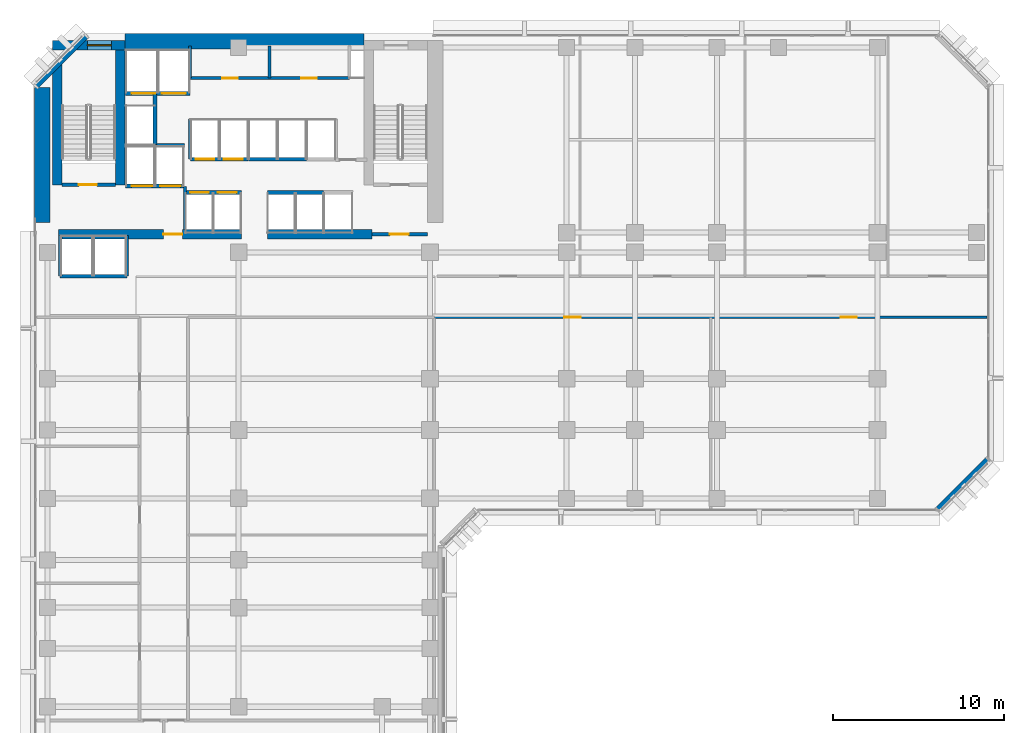
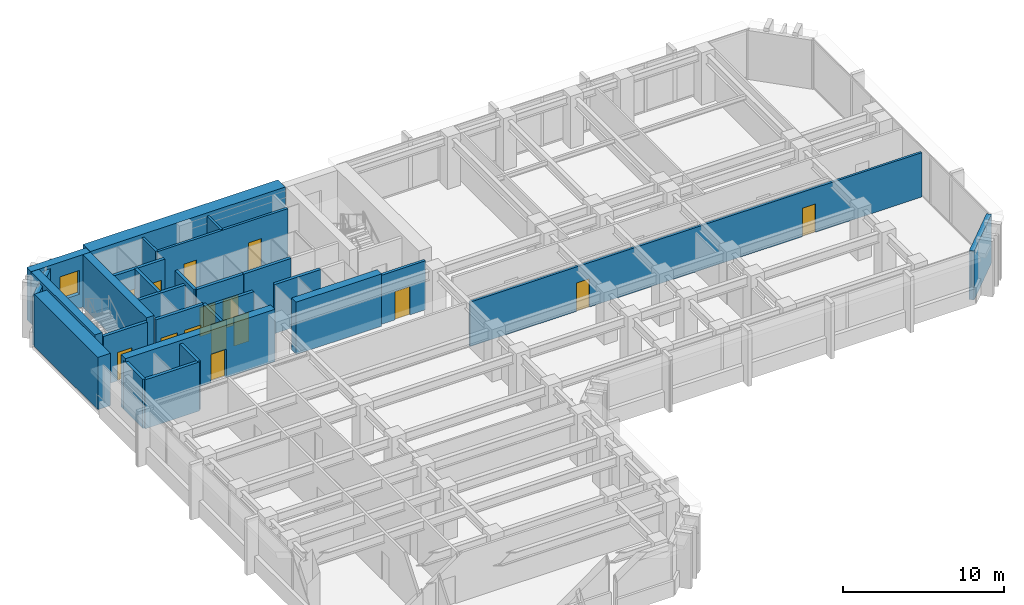
# One storey, part 7 of 13: 28 walls, 15 doors, 1 window, 16 openings.
"""IFC4 building model written with IfcOpenShell, lengths in metres."""

from ifc_helpers import new_model, si_unit, direction, frame, frame_2d, origin, place, context, subcontext, project, spatial, rectangle, extrude, material, layer, layer_set, type_object, element, fill, save


model = new_model("IFC4")

# Units and contexts
model_context = context("Model", 3, precision=1e-05, world=origin(), true_north=direction((0.0, 1.0)))
body_context = subcontext(model_context, "Body", "Model", "MODEL_VIEW")
ifc_project = project(units=[si_unit("LENGTHUNIT", "METRE"), si_unit("AREAUNIT", "SQUARE_METRE"), si_unit("VOLUMEUNIT", "CUBIC_METRE"), si_unit("PLANEANGLEUNIT", "RADIAN"), si_unit("MASSUNIT", "GRAM", prefix="KILO")], contexts=[model_context])

# Site, building, storey
site_placement = place(None, origin())
site = spatial("IfcSite", under=ifc_project, at=site_placement, CompositionType="ELEMENT")
building_placement = place(site_placement, origin())
building = spatial("IfcBuilding", under=site, at=building_placement, Name="Kefirva Bronze Tower", CompositionType="ELEMENT")
storey_placement = place(building_placement, frame((0.0, 0.0, 38.280029296875)))
storey = spatial("IfcBuildingStorey", under=building, at=storey_placement, Name="L08", CompositionType="ELEMENT", Elevation=38.280029296875)

# Wall, opening, door
ifc_material_1 = material(Name="Gypsum fireboard shaftwall")
ifc_layer_1 = layer(ifc_material_1, 0.219970703125, Name="Gypsum fireboard shaftwall")
ifc_layer_set_1 = layer_set([ifc_layer_1], Name="Gypsum fireboard shaftwall")
wall_type_1 = type_object("IfcWallType", Name="Fire-Rated Shaft Enclosure Wall 220mm", PredefinedType="PARTITIONING", material=ifc_layer_set_1)
wall_1_placement = place(storey_placement, frame((1.64990234375, 37.14990234375, 0.0), z_axis=(0.0, 0.0, 1.0), x_axis=(1.0, 0.0, 0.0)))
wall_1 = element("IfcWall", 1, at=wall_1_placement, inside=storey, type_object=wall_type_1, Name="L08 Partition W-L08-ST1S", PredefinedType="PARTITIONING", context=body_context, shape_type="SweptSolid", body=[
    extrude(rectangle(XDim=3.150146484375, YDim=0.219970703125, at=frame_2d((1.5751953125, 0.0))), origin(), (0.0, 0.0, 1.0), 3.7099609375),
])
opening_1_placement = place(wall_1_placement, frame((2.050048828125, 0.0, 0.0), z_axis=(0.0, 0.0, 1.0), x_axis=(-1.0, 0.0, 0.0)))
opening_1 = element("IfcOpeningElement", 2, at=opening_1_placement, cuts=wall_1, Name="Opening L08-D001", PredefinedType="OPENING", context=body_context, shape_type="SweptSolid", body=[
    extrude(rectangle(XDim=1.050048828125, YDim=2.14990234375, at=frame_2d((0.52490234375, 1.074951171875))), frame((0.0, 0.1201171875, 0.0), z_axis=(0.0, -1.0, 0.0), x_axis=(1.0, 0.0, 0.0)), (0.0, 0.0, 1.0), 0.239990234375),
])
ifc_material_2 = material(Name="Painted galvanized steel", Category="steel")
door_type_1 = type_object("IfcDoorType", Name="Fire Stair Enclosure Door 1050x2150 FD90S", OperationType="NOTDEFINED", PredefinedType="DOOR", material=ifc_material_2)
door_1_placement = place(opening_1_placement, origin())
door_1 = element("IfcDoor", 3, at=door_1_placement, inside=storey, type_object=door_type_1, Name="Door L08-D001", OperationType="SINGLE_SWING_RIGHT", OverallHeight=2.14990234375, OverallWidth=1.050048828125, PredefinedType="DOOR", context=body_context, shape_type="SweptSolid", body=[
    extrude(rectangle(XDim=1.050048828125, YDim=2.14990234375, at=frame_2d((0.52490234375, 1.074951171875))), frame((0.0, 0.02490234375, 0.0), z_axis=(0.0, -1.0, 0.0), x_axis=(1.0, 0.0, 0.0)), (0.0, 0.0, 1.0), 0.050048828125),
])
fill(opening_1, door_1)

# Wall, openings, doors
wall_2_placement = place(storey_placement, frame((5.3798828125, 37.080078125, 0.0), z_axis=(0.0, 0.0, 1.0), x_axis=(1.0, 0.0, 0.0)))
wall_2 = element("IfcWall", 4, at=wall_2_placement, inside=storey, type_object=wall_type_1, Name="L08 Partition W-L08-FFS", PredefinedType="PARTITIONING", context=body_context, shape_type="SweptSolid", body=[
    extrude(rectangle(XDim=3.460205078125, YDim=0.219970703125, at=frame_2d((1.72998046875, 0.0))), origin(), (0.0, 0.0, 1.0), 3.7099609375),
])
opening_2_placement = place(wall_2_placement, frame((1.550048828125, 0.0, 0.0), z_axis=(0.0, 0.0, 1.0), x_axis=(-1.0, 0.0, 0.0)))
opening_2 = element("IfcOpeningElement", 5, at=opening_2_placement, cuts=wall_2, Name="Opening L08-LD-FF1", PredefinedType="OPENING", context=body_context, shape_type="SweptSolid", body=[
    extrude(rectangle(XDim=1.199951171875, YDim=2.199951171875, at=frame_2d((0.60009765625, 1.10009765625))), frame((0.0, 0.1201171875, 0.0), z_axis=(0.0, -1.0, 0.0), x_axis=(1.0, 0.0, 0.0)), (0.0, 0.0, 1.0), 0.239990234375),
])
opening_3_placement = place(wall_2_placement, frame((3.219970703125, 0.0, 0.0), z_axis=(0.0, 0.0, 1.0), x_axis=(-1.0, 0.0, 0.0)))
opening_3 = element("IfcOpeningElement", 6, at=opening_3_placement, cuts=wall_2, Name="Opening L08-LD-FF2", PredefinedType="OPENING", context=body_context, shape_type="SweptSolid", body=[
    extrude(rectangle(XDim=1.199951171875, YDim=2.199951171875, at=frame_2d((0.60009765625, 1.10009765625))), frame((0.0, 0.1201171875, 0.0), z_axis=(0.0, -1.0, 0.0), x_axis=(1.0, 0.0, 0.0)), (0.0, 0.0, 1.0), 0.239990234375),
])
ifc_material_3 = material(Name="Stainless steel 316", Category="steel")
door_type_2 = type_object("IfcDoorType", Name="Firefighting Lift Sliding Door 1200x2200", OperationType="SLIDING_TO_RIGHT", PredefinedType="DOOR", material=ifc_material_3)
door_2_placement = place(opening_2_placement, origin())
door_2 = element("IfcDoor", 7, at=door_2_placement, inside=storey, type_object=door_type_2, Name="Door L08-LD-FF1", OperationType="SLIDING_TO_RIGHT", OverallHeight=2.199951171875, OverallWidth=1.199951171875, PredefinedType="DOOR", context=body_context, shape_type="SweptSolid", body=[
    extrude(rectangle(XDim=1.199951171875, YDim=2.199951171875, at=frame_2d((0.60009765625, 1.10009765625))), frame((0.0, 0.02490234375, 0.0), z_axis=(0.0, -1.0, 0.0), x_axis=(1.0, 0.0, 0.0)), (0.0, 0.0, 1.0), 0.050048828125),
])
fill(opening_2, door_2)
door_3_placement = place(opening_3_placement, origin())
door_3 = element("IfcDoor", 8, at=door_3_placement, inside=storey, type_object=door_type_2, Name="Door L08-LD-FF2", OperationType="SLIDING_TO_RIGHT", OverallHeight=2.199951171875, OverallWidth=1.199951171875, PredefinedType="DOOR", context=body_context, shape_type="SweptSolid", body=[
    extrude(rectangle(XDim=1.199951171875, YDim=2.199951171875, at=frame_2d((0.60009765625, 1.10009765625))), frame((0.0, 0.02490234375, 0.0), z_axis=(0.0, -1.0, 0.0), x_axis=(1.0, 0.0, 0.0)), (0.0, 0.0, 1.0), 0.050048828125),
])
fill(opening_3, door_3)

# Wall
wall_3_placement = place(storey_placement, frame((5.3798828125, 39.449951171875, 0.0), z_axis=(0.0, 0.0, 1.0), x_axis=(1.0, 0.0, 0.0)))
element("IfcWall", 9, at=wall_3_placement, inside=storey, type_object=wall_type_1, Name="L08 Partition W-L08-FFN", PredefinedType="PARTITIONING", context=body_context, shape_type="SweptSolid", body=[
    extrude(rectangle(XDim=3.460205078125, YDim=0.219970703125, at=frame_2d((1.72998046875, 0.0))), origin(), (0.0, 0.0, 1.0), 3.7099609375),
])

# Wall, openings, doors
wall_4_placement = place(storey_placement, frame((5.3798828125, 42.5, 0.0), z_axis=(0.0, 0.0, 1.0), x_axis=(1.0, 0.0, 0.0)))
wall_4 = element("IfcWall", 10, at=wall_4_placement, inside=storey, type_object=wall_type_1, Name="L08 Partition W-L08-SVS", PredefinedType="PARTITIONING", context=body_context, shape_type="SweptSolid", body=[
    extrude(rectangle(XDim=3.77001953125, YDim=0.219970703125, at=frame_2d((1.885009765625, 0.0))), origin(), (0.0, 0.0, 1.0), 3.7099609375),
])
opening_4_placement = place(wall_4_placement, frame((1.75, 0.0, 0.0), z_axis=(0.0, 0.0, 1.0), x_axis=(-1.0, 0.0, 0.0)))
opening_4 = element("IfcOpeningElement", 11, at=opening_4_placement, cuts=wall_4, Name="Opening L08-LD-SV1", PredefinedType="OPENING", context=body_context, shape_type="SweptSolid", body=[
    extrude(rectangle(XDim=1.39990234375, YDim=2.199951171875, at=frame_2d((0.699951171875, 1.10009765625))), frame((0.0, 0.1201171875, 0.0), z_axis=(0.0, -1.0, 0.0), x_axis=(1.0, 0.0, 0.0)), (0.0, 0.0, 1.0), 0.239990234375),
])
opening_5_placement = place(wall_4_placement, frame((3.52978515625, 0.0, 0.0), z_axis=(0.0, 0.0, 1.0), x_axis=(-1.0, 0.0, 0.0)))
opening_5 = element("IfcOpeningElement", 12, at=opening_5_placement, cuts=wall_4, Name="Opening L08-LD-SV2", PredefinedType="OPENING", context=body_context, shape_type="SweptSolid", body=[
    extrude(rectangle(XDim=1.39990234375, YDim=2.199951171875, at=frame_2d((0.699951171875, 1.10009765625))), frame((0.0, 0.1201171875, 0.0), z_axis=(0.0, -1.0, 0.0), x_axis=(1.0, 0.0, 0.0)), (0.0, 0.0, 1.0), 0.239990234375),
])
door_type_3 = type_object("IfcDoorType", Name="Goods Lift Bi-Parting Sliding Door 1400x2200", OperationType="SLIDING_TO_LEFT", PredefinedType="DOOR", material=ifc_material_3)
door_4_placement = place(opening_4_placement, origin())
door_4 = element("IfcDoor", 13, at=door_4_placement, inside=storey, type_object=door_type_3, Name="Door L08-LD-SV1", OperationType="SLIDING_TO_LEFT", OverallHeight=2.199951171875, OverallWidth=1.39990234375, PredefinedType="DOOR", context=body_context, shape_type="SweptSolid", body=[
    extrude(rectangle(XDim=1.39990234375, YDim=2.199951171875, at=frame_2d((0.699951171875, 1.10009765625))), frame((0.0, 0.02490234375, 0.0), z_axis=(0.0, -1.0, 0.0), x_axis=(1.0, 0.0, 0.0)), (0.0, 0.0, 1.0), 0.050048828125),
])
fill(opening_4, door_4)
door_5_placement = place(opening_5_placement, origin())
door_5 = element("IfcDoor", 14, at=door_5_placement, inside=storey, type_object=door_type_3, Name="Door L08-LD-SV2", OperationType="SLIDING_TO_LEFT", OverallHeight=2.199951171875, OverallWidth=1.39990234375, PredefinedType="DOOR", context=body_context, shape_type="SweptSolid", body=[
    extrude(rectangle(XDim=1.39990234375, YDim=2.199951171875, at=frame_2d((0.699951171875, 1.10009765625))), frame((0.0, 0.02490234375, 0.0), z_axis=(0.0, -1.0, 0.0), x_axis=(1.0, 0.0, 0.0)), (0.0, 0.0, 1.0), 0.050048828125),
])
fill(opening_5, door_5)

# Walls
wall_5_placement = place(storey_placement, frame((7.10009765625, 39.52001953125, 0.0), z_axis=(0.0, 0.0, 1.0), x_axis=(0.0, 1.0, 0.0)))
element("IfcWall", 15, at=wall_5_placement, inside=storey, type_object=wall_type_1, Name="L08 Partition W-L08-HP3E", PredefinedType="PARTITIONING", context=body_context, shape_type="SweptSolid", body=[
    extrude(rectangle(XDim=2.929931640625, YDim=0.219970703125, at=frame_2d((1.46484375, 0.0))), origin(), (0.0, 0.0, 1.0), 3.7099609375),
])
wall_6_placement = place(storey_placement, frame((1.550048828125, 31.800048828125, 0.0), z_axis=(0.0, 0.0, 1.0), x_axis=(1.0, 0.0, 0.0)))
element("IfcWall", 16, at=wall_6_placement, inside=storey, type_object=wall_type_1, Name="L08 Partition W-L08-OBS", PredefinedType="PARTITIONING", context=body_context, shape_type="SweptSolid", body=[
    extrude(rectangle(XDim=3.89990234375, YDim=0.219970703125, at=frame_2d((1.949951171875, 0.0))), origin(), (0.0, 0.0, 1.0), 3.7099609375),
])
for number, where, z_axis, x_axis, name in (
    (17, (1.550048828125, 31.800048828125, 0.0), (0.0, 0.0, 1.0), (0.0, 1.0, 0.0), "L08 Partition W-L08-OBW"),
    (18, (5.449951171875, 31.800048828125, 0.0), (0.0, 0.0, 1.0), (0.0, 1.0, 0.0), "L08 Partition W-L08-OBE"),
):
    element("IfcWall", number, at=place(storey_placement, frame(where, z_axis=z_axis, x_axis=x_axis)), inside=storey, type_object=wall_type_1, Name=name, PredefinedType="PARTITIONING", context=body_context, shape_type="SweptSolid", body=[
        extrude(rectangle(XDim=2.3798828125, YDim=0.219970703125, at=frame_2d((1.18994140625, 0.0))), origin(), (0.0, 0.0, 1.0), 3.7099609375),
    ])
wall_7_placement = place(storey_placement, frame((9.159912109375, 38.64990234375, 0.0), z_axis=(0.0, 0.0, 1.0), x_axis=(0.0, 1.0, 0.0)))
element("IfcWall", 19, at=wall_7_placement, inside=storey, type_object=wall_type_1, Name="L08 Partition W-L08-LP3W", PredefinedType="PARTITIONING", context=body_context, shape_type="SweptSolid", body=[
    extrude(rectangle(XDim=2.35009765625, YDim=0.199951171875, at=frame_2d((1.175048828125, 0.0))), origin(), (0.0, 0.0, 1.0), 3.7099609375),
])

# Wall, openings, doors
wall_8_placement = place(storey_placement, frame((8.89990234375, 36.699951171875, 0.0), z_axis=(0.0, 0.0, 1.0), x_axis=(1.0, 0.0, 0.0)))
wall_8 = element("IfcWall", 20, at=wall_8_placement, inside=storey, type_object=wall_type_1, Name="L08 Partition W-L08-LPS", PredefinedType="PARTITIONING", context=body_context, shape_type="SweptSolid", body=[
    extrude(rectangle(XDim=3.260009765625, YDim=0.219970703125, at=frame_2d((1.6298828125, 0.0))), origin(), (0.0, 0.0, 1.0), 3.7099609375),
])
opening_6_placement = place(wall_8_placement, frame((0.260009765625, 0.0, 0.0)))
opening_6 = element("IfcOpeningElement", 21, at=opening_6_placement, cuts=wall_8, Name="Opening L08-LD-LP1", PredefinedType="OPENING", context=body_context, shape_type="SweptSolid", body=[
    extrude(rectangle(XDim=1.10009765625, YDim=2.199951171875, at=frame_2d((0.550048828125, 1.10009765625))), frame((0.0, 0.1201171875, 0.0), z_axis=(0.0, -1.0, 0.0), x_axis=(1.0, 0.0, 0.0)), (0.0, 0.0, 1.0), 0.239990234375),
])
opening_7_placement = place(wall_8_placement, frame((1.8798828125, 0.0, 0.0)))
opening_7 = element("IfcOpeningElement", 22, at=opening_7_placement, cuts=wall_8, Name="Opening L08-LD-LP2", PredefinedType="OPENING", context=body_context, shape_type="SweptSolid", body=[
    extrude(rectangle(XDim=1.10009765625, YDim=2.199951171875, at=frame_2d((0.550048828125, 1.10009765625))), frame((0.0, 0.1201171875, 0.0), z_axis=(0.0, -1.0, 0.0), x_axis=(1.0, 0.0, 0.0)), (0.0, 0.0, 1.0), 0.239990234375),
])
door_type_4 = type_object("IfcDoorType", Name="Passenger Lift Sliding Landing Door 1100x2200", OperationType="SLIDING_TO_LEFT", PredefinedType="DOOR", material=ifc_material_3)
door_6_placement = place(opening_6_placement, origin())
door_6 = element("IfcDoor", 23, at=door_6_placement, inside=storey, type_object=door_type_4, Name="Door L08-LD-LP1", OperationType="SLIDING_TO_LEFT", OverallHeight=2.199951171875, OverallWidth=1.10009765625, PredefinedType="DOOR", context=body_context, shape_type="SweptSolid", body=[
    extrude(rectangle(XDim=1.10009765625, YDim=2.199951171875, at=frame_2d((0.550048828125, 1.10009765625))), frame((0.0, 0.02490234375, 0.0), z_axis=(0.0, -1.0, 0.0), x_axis=(1.0, 0.0, 0.0)), (0.0, 0.0, 1.0), 0.050048828125),
])
fill(opening_6, door_6)
door_7_placement = place(opening_7_placement, origin())
door_7 = element("IfcDoor", 24, at=door_7_placement, inside=storey, type_object=door_type_4, Name="Door L08-LD-LP2", OperationType="SLIDING_TO_LEFT", OverallHeight=2.199951171875, OverallWidth=1.10009765625, PredefinedType="DOOR", context=body_context, shape_type="SweptSolid", body=[
    extrude(rectangle(XDim=1.10009765625, YDim=2.199951171875, at=frame_2d((0.550048828125, 1.10009765625))), frame((0.0, 0.02490234375, 0.0), z_axis=(0.0, -1.0, 0.0), x_axis=(1.0, 0.0, 0.0)), (0.0, 0.0, 1.0), 0.050048828125),
])
fill(opening_7, door_7)

wall_9_placement = place(storey_placement, frame((9.179931640625, 38.64990234375, 0.0), z_axis=(0.0, 0.0, 1.0), x_axis=(1.0, 0.0, 0.0)))
wall_9 = element("IfcWall", 25, at=wall_9_placement, inside=storey, type_object=wall_type_1, Name="L08 Partition W-L08-LPN", PredefinedType="PARTITIONING", context=body_context, shape_type="SweptSolid", body=[
    extrude(rectangle(XDim=3.380126953125, YDim=0.219970703125, at=frame_2d((1.68994140625, 0.0))), origin(), (0.0, 0.0, 1.0), 3.7099609375),
])
opening_8_placement = place(wall_9_placement, frame((0.300048828125, 0.0, 0.0)))
opening_8 = element("IfcOpeningElement", 26, at=opening_8_placement, cuts=wall_9, Name="Opening L08-LD-LP3", PredefinedType="OPENING", context=body_context, shape_type="SweptSolid", body=[
    extrude(rectangle(XDim=1.10009765625, YDim=2.199951171875, at=frame_2d((0.550048828125, 1.10009765625))), frame((0.0, 0.1201171875, 0.0), z_axis=(0.0, -1.0, 0.0), x_axis=(1.0, 0.0, 0.0)), (0.0, 0.0, 1.0), 0.239990234375),
])
opening_9_placement = place(wall_9_placement, frame((1.949951171875, 0.0, 0.0)))
opening_9 = element("IfcOpeningElement", 27, at=opening_9_placement, cuts=wall_9, Name="Opening L08-LD-LP4", PredefinedType="OPENING", context=body_context, shape_type="SweptSolid", body=[
    extrude(rectangle(XDim=1.10009765625, YDim=2.199951171875, at=frame_2d((0.550048828125, 1.10009765625))), frame((0.0, 0.1201171875, 0.0), z_axis=(0.0, -1.0, 0.0), x_axis=(1.0, 0.0, 0.0)), (0.0, 0.0, 1.0), 0.239990234375),
])
door_8_placement = place(opening_8_placement, origin())
door_8 = element("IfcDoor", 28, at=door_8_placement, inside=storey, type_object=door_type_4, Name="Door L08-LD-LP3", OperationType="SLIDING_TO_LEFT", OverallHeight=2.199951171875, OverallWidth=1.10009765625, PredefinedType="DOOR", context=body_context, shape_type="SweptSolid", body=[
    extrude(rectangle(XDim=1.10009765625, YDim=2.199951171875, at=frame_2d((0.550048828125, 1.10009765625))), frame((0.0, 0.02490234375, 0.0), z_axis=(0.0, -1.0, 0.0), x_axis=(1.0, 0.0, 0.0)), (0.0, 0.0, 1.0), 0.050048828125),
])
fill(opening_8, door_8)
door_9_placement = place(opening_9_placement, origin())
door_9 = element("IfcDoor", 29, at=door_9_placement, inside=storey, type_object=door_type_4, Name="Door L08-LD-LP4", OperationType="SLIDING_TO_LEFT", OverallHeight=2.199951171875, OverallWidth=1.10009765625, PredefinedType="DOOR", context=body_context, shape_type="SweptSolid", body=[
    extrude(rectangle(XDim=1.10009765625, YDim=2.199951171875, at=frame_2d((0.550048828125, 1.10009765625))), frame((0.0, 0.02490234375, 0.0), z_axis=(0.0, -1.0, 0.0), x_axis=(1.0, 0.0, 0.0)), (0.0, 0.0, 1.0), 0.050048828125),
])
fill(opening_9, door_9)

# Walls
wall_10_placement = place(storey_placement, frame((13.679931640625, 36.699951171875, 0.0), z_axis=(0.0, 0.0, 1.0), x_axis=(1.0, 0.0, 0.0)))
element("IfcWall", 30, at=wall_10_placement, inside=storey, type_object=wall_type_1, Name="L08 Partition W-L08-MPS", PredefinedType="PARTITIONING", context=body_context, shape_type="SweptSolid", body=[
    extrude(rectangle(XDim=3.280029296875, YDim=0.219970703125, at=frame_2d((1.64013671875, 0.0))), origin(), (0.0, 0.0, 1.0), 3.7099609375),
])
wall_11_placement = place(storey_placement, frame((12.580078125, 38.64990234375, 0.0), z_axis=(0.0, 0.0, 1.0), x_axis=(1.0, 0.0, 0.0)))
element("IfcWall", 31, at=wall_11_placement, inside=storey, type_object=wall_type_1, Name="L08 Partition W-L08-MPN", PredefinedType="PARTITIONING", context=body_context, shape_type="SweptSolid", body=[
    extrude(rectangle(XDim=3.3798828125, YDim=0.219970703125, at=frame_2d((1.68994140625, 0.0))), origin(), (0.0, 0.0, 1.0), 3.7099609375),
])
ifc_material_4 = material(Name="Gypsum fireboard barrier")
ifc_layer_2 = layer(ifc_material_4, 0.199951171875, Name="Gypsum fireboard barrier")
ifc_layer_set_2 = layer_set([ifc_layer_2], Name="Gypsum fireboard barrier")
wall_type_2 = type_object("IfcWallType", Name="Firefighting Lobby Barrier Wall 200mm", PredefinedType="PARTITIONING", material=ifc_layer_set_2)
wall_12_placement = place(storey_placement, frame((8.860107421875, 34.550048828125, 0.0), z_axis=(0.0, 0.0, 1.0), x_axis=(0.0, 1.0, 0.0)))
element("IfcWall", 32, at=wall_12_placement, inside=storey, type_object=wall_type_2, Name="L08 Partition W-L08-FFLE", PredefinedType="PARTITIONING", context=body_context, shape_type="SweptSolid", body=[
    extrude(rectangle(XDim=2.5, YDim=0.199951171875, at=frame_2d((1.25, 0.0))), origin(), (0.0, 0.0, 1.0), 3.7099609375),
])

# Wall, opening, door
wall_13_placement = place(storey_placement, frame((19.800048828125, 34.25, 0.0), z_axis=(0.0, 0.0, 1.0), x_axis=(1.0, 0.0, 0.0)))
wall_13 = element("IfcWall", 33, at=wall_13_placement, inside=storey, type_object=wall_type_2, Name="L08 Partition W-L08-ST2F", PredefinedType="PARTITIONING", context=body_context, shape_type="SweptSolid", body=[
    extrude(rectangle(XDim=3.25, YDim=0.199951171875, at=frame_2d((1.625, 0.0))), origin(), (0.0, 0.0, 1.0), 3.7099609375),
])
opening_10_placement = place(wall_13_placement, frame((2.150146484375, 0.0, 0.0), z_axis=(0.0, 0.0, 1.0), x_axis=(-1.0, 0.0, 0.0)))
opening_10 = element("IfcOpeningElement", 34, at=opening_10_placement, cuts=wall_13, Name="Opening L08-D004", PredefinedType="OPENING", context=body_context, shape_type="SweptSolid", body=[
    extrude(rectangle(XDim=1.10009765625, YDim=2.14990234375, at=frame_2d((0.550048828125, 1.074951171875))), frame((0.0, 0.10986328125, 0.0), z_axis=(0.0, -1.0, 0.0), x_axis=(1.0, 0.0, 0.0)), (0.0, 0.0, 1.0), 0.219970703125),
])
door_type_5 = type_object("IfcDoorType", Name="Firefighting Lobby Smoke Door 1100x2150 FD60S", OperationType="NOTDEFINED", PredefinedType="DOOR", material=ifc_material_2)
door_10_placement = place(opening_10_placement, origin())
door_10 = element("IfcDoor", 35, at=door_10_placement, inside=storey, type_object=door_type_5, Name="Door L08-D004", OperationType="SINGLE_SWING_LEFT", OverallHeight=2.14990234375, OverallWidth=1.10009765625, PredefinedType="DOOR", context=body_context, shape_type="SweptSolid", body=[
    extrude(rectangle(XDim=1.10009765625, YDim=2.14990234375, at=frame_2d((0.550048828125, 1.074951171875))), frame((0.0, 0.02490234375, 0.0), z_axis=(0.0, -1.0, 0.0), x_axis=(1.0, 0.0, 0.0)), (0.0, 0.0, 1.0), 0.050048828125),
])
fill(opening_10, door_10)

# Walls
ifc_material_5 = material(Name="Precast concrete C40/50", Category="concrete")
ifc_layer_3 = layer(ifc_material_5, 0.320068359375, Name="Precast concrete C40/50")
ifc_layer_set_3 = layer_set([ifc_layer_3], Name="Precast concrete C40/50")
wall_type_3 = type_object("IfcWallType", Name="Precast Insulated Exterior Wall 320mm", PredefinedType="SOLIDWALL", material=ifc_layer_set_3)
for number, where, z_axis, x_axis, name in (
    (36, (52.92578125, 18.152099609375, 0.0), (0.0, 0.0, 1.0), (0.707106781187, 0.707106781187, 0.0), "L08 Exterior Facade Wall 7"),
    (37, (3.07421875, 45.847900390625, 0.0), (0.0, 0.0, 1.0), (-0.707106781187, -0.707106781187, 0.0), "L08 Exterior Facade Wall 9"),
):
    element("IfcWall", number, at=place(storey_placement, frame(where, z_axis=z_axis, x_axis=x_axis)), inside=storey, type_object=wall_type_3, Name=name, PredefinedType="SOLIDWALL", context=body_context, shape_type="SweptSolid", body=[
        extrude(rectangle(XDim=4.132568359375, YDim=0.320068359375, at=frame_2d((2.06640625, 0.0))), origin(), (0.0, 0.0, 1.0), 3.7099609375),
    ])

# Wall, openings, doors
ifc_material_6 = material(Name="Gypsum acoustic partition")
ifc_layer_4 = layer(ifc_material_6, 0.159912109375, Name="Gypsum acoustic partition")
ifc_layer_set_4 = layer_set([ifc_layer_4], Name="Gypsum acoustic partition")
wall_type_4 = type_object("IfcWallType", Name="Protected Corridor Partition 160mm", PredefinedType="PARTITIONING", material=ifc_layer_set_4)
wall_14_placement = place(storey_placement, frame((23.449951171875, 29.39990234375, 0.0), z_axis=(0.0, 0.0, 1.0), x_axis=(1.0, 0.0, 0.0)))
wall_14 = element("IfcWall", 38, at=wall_14_placement, inside=storey, type_object=wall_type_4, Name="L08 Partition W-L08-EWS", PredefinedType="PARTITIONING", context=body_context, shape_type="SweptSolid", body=[
    extrude(rectangle(XDim=32.360107421875, YDim=0.159912109375, at=frame_2d((16.18017578125, 0.0))), origin(), (0.0, 0.0, 1.0), 3.364990234375),
])
opening_11_placement = place(wall_14_placement, frame((8.56494140625, 0.0, 0.0), z_axis=(0.0, 0.0, 1.0), x_axis=(-1.0, 0.0, 0.0)))
opening_11 = element("IfcOpeningElement", 39, at=opening_11_placement, cuts=wall_14, Name="Opening L08-D-ES1", PredefinedType="OPENING", context=body_context, shape_type="SweptSolid", body=[
    extrude(rectangle(XDim=0.949951171875, YDim=2.14990234375, at=frame_2d((0.47509765625, 1.074951171875))), frame((0.0, 0.08984375, 0.0), z_axis=(0.0, -1.0, 0.0), x_axis=(1.0, 0.0, 0.0)), (0.0, 0.0, 1.0), 0.179931640625),
])
opening_12_placement = place(wall_14_placement, frame((24.744873046875, 0.0, 0.0), z_axis=(0.0, 0.0, 1.0), x_axis=(-1.0, 0.0, 0.0)))
opening_12 = element("IfcOpeningElement", 40, at=opening_12_placement, cuts=wall_14, Name="Opening L08-D-ES2", PredefinedType="OPENING", context=body_context, shape_type="SweptSolid", body=[
    extrude(rectangle(XDim=0.949951171875, YDim=2.14990234375, at=frame_2d((0.47509765625, 1.074951171875))), frame((0.0, 0.08984375, 0.0), z_axis=(0.0, -1.0, 0.0), x_axis=(1.0, 0.0, 0.0)), (0.0, 0.0, 1.0), 0.179931640625),
])
ifc_material_7 = material(Name="Acoustic hardwood oak", Category="wood")
door_type_6 = type_object("IfcDoorType", Name="Office & Meeting Room Door 950x2150", OperationType="NOTDEFINED", PredefinedType="DOOR", material=ifc_material_7)
door_11_placement = place(opening_11_placement, origin())
door_11 = element("IfcDoor", 41, at=door_11_placement, inside=storey, type_object=door_type_6, Name="Door L08-D-ES1", OperationType="SINGLE_SWING_RIGHT", OverallHeight=2.14990234375, OverallWidth=0.949951171875, PredefinedType="DOOR", context=body_context, shape_type="SweptSolid", body=[
    extrude(rectangle(XDim=0.949951171875, YDim=2.14990234375, at=frame_2d((0.47509765625, 1.074951171875))), frame((0.0, 0.02490234375, 0.0), z_axis=(0.0, -1.0, 0.0), x_axis=(1.0, 0.0, 0.0)), (0.0, 0.0, 1.0), 0.050048828125),
])
fill(opening_11, door_11)
door_12_placement = place(opening_12_placement, origin())
door_12 = element("IfcDoor", 42, at=door_12_placement, inside=storey, type_object=door_type_6, Name="Door L08-D-ES2", OperationType="SINGLE_SWING_LEFT", OverallHeight=2.14990234375, OverallWidth=0.949951171875, PredefinedType="DOOR", context=body_context, shape_type="SweptSolid", body=[
    extrude(rectangle(XDim=0.949951171875, YDim=2.14990234375, at=frame_2d((0.47509765625, 1.074951171875))), frame((0.0, 0.02490234375, 0.0), z_axis=(0.0, -1.0, 0.0), x_axis=(1.0, 0.0, 0.0)), (0.0, 0.0, 1.0), 0.050048828125),
])
fill(opening_12, door_12)

# Wall, opening, window
ifc_material_8 = material(Name="Concrete C50/60", Category="concrete")
ifc_layer_5 = layer(ifc_material_8, 0.550048828125, Name="Concrete C50/60")
ifc_layer_set_5 = layer_set([ifc_layer_5], Name="Concrete C50/60")
wall_type_5 = type_object("IfcWallType", Name="RC Rear Core Exterior Wall 550mm", PredefinedType="SHEAR", material=ifc_layer_set_5)
wall_15_placement = place(storey_placement, frame((1.10009765625, 45.320068359375, 0.0), z_axis=(0.0, 0.0, 1.0), x_axis=(1.0, 0.0, 0.0)))
wall_15 = element("IfcWall", 43, at=wall_15_placement, inside=storey, type_object=wall_type_5, Name="L08 Stair 1 North Shear Wall", PredefinedType="SHEAR", context=body_context, shape_type="SweptSolid", body=[
    extrude(rectangle(XDim=4.239990234375, YDim=0.550048828125, at=frame_2d((2.1201171875, 0.0))), origin(), (0.0, 0.0, 1.0), 3.9599609375),
])
opening_13_placement = place(wall_15_placement, frame((2.050048828125, 0.0, 1.050048828125)))
opening_13 = element("IfcOpeningElement", 44, at=opening_13_placement, cuts=wall_15, Name="Opening WN-03", PredefinedType="OPENING", context=body_context, shape_type="SweptSolid", body=[
    extrude(rectangle(XDim=1.39990234375, YDim=1.800048828125, at=frame_2d((0.699951171875, 0.89990234375))), frame((0.0, 0.28515625, 0.0), z_axis=(0.0, -1.0, 0.0), x_axis=(1.0, 0.0, 0.0)), (0.0, 0.0, 1.0), 0.570068359375),
])
ifc_material_9 = material(Name="Laminated low-E double glazing", Category="glass")
window_type = type_object("IfcWindowType", Name="Rear-Core Stair Daylight Window 1400x1800", PartitioningType="SINGLE_PANEL", PredefinedType="WINDOW", material=ifc_material_9)
window_placement = place(opening_13_placement, origin())
window = element("IfcWindow", 45, at=window_placement, inside=storey, type_object=window_type, Name="L08 Stair 1 Daylight Window", OverallHeight=1.800048828125, OverallWidth=1.39990234375, PartitioningType="SINGLE_PANEL", PredefinedType="WINDOW", context=body_context, shape_type="SweptSolid", body=[
    extrude(rectangle(XDim=1.39990234375, YDim=1.800048828125, at=frame_2d((0.699951171875, 0.89990234375))), frame((0.0, 0.030029296875, 0.0), z_axis=(0.0, -1.0, 0.0), x_axis=(1.0, 0.0, 0.0)), (0.0, 0.0, 1.0), 0.06005859375),
])
fill(opening_13, window)

# Walls
ifc_material_10 = material(Name="Concrete C60/75", Category="concrete")
ifc_layer_6 = layer(ifc_material_10, 0.89990234375, Name="Concrete C60/75")
ifc_layer_set_6 = layer_set([ifc_layer_6], Name="Concrete C60/75")
wall_type_6 = type_object("IfcWallType", Name="RC Rear Core Exterior Wall 900mm", PredefinedType="SHEAR", material=ifc_layer_set_6)
wall_16_placement = place(storey_placement, frame((5.360107421875, 45.550048828125, 0.0), z_axis=(0.0, 0.0, 1.0), x_axis=(1.0, 0.0, 0.0)))
element("IfcWall", 46, at=wall_16_placement, inside=storey, type_object=wall_type_6, Name="L08 Rear Core North Shear Wall", PredefinedType="SHEAR", context=body_context, shape_type="SweptSolid", body=[
    extrude(rectangle(XDim=13.97998046875, YDim=0.89990234375, at=frame_2d((6.989990234375, 0.0))), origin(), (0.0, 0.0, 1.0), 3.9599609375),
])
wall_17_placement = place(storey_placement, frame((0.5, 34.949951171875, 0.0), z_axis=(0.0, 0.0, 1.0), x_axis=(0.0, 1.0, 0.0)))
element("IfcWall", 47, at=wall_17_placement, inside=storey, type_object=wall_type_6, Name="L08 Rear Core West Shear Wall", PredefinedType="SHEAR", context=body_context, shape_type="SweptSolid", body=[
    extrude(rectangle(XDim=7.900146484375, YDim=0.89990234375, at=frame_2d((3.9501953125, 0.0))), origin(), (0.0, 0.0, 1.0), 3.9599609375),
])
ifc_layer_7 = layer(ifc_material_8, 0.550048828125, Name="Concrete C50/60")
ifc_layer_set_7 = layer_set([ifc_layer_7], Name="Concrete C50/60")
wall_type_7 = type_object("IfcWallType", Name="RC Rear Core Interior Wall 550mm", PredefinedType="SHEAR", material=ifc_layer_set_7)
for number, where, z_axis, x_axis, name in (
    (48, (1.3701171875, 37.14990234375, 0.0), (0.0, 0.0, 1.0), (0.0, 1.0, 0.0), "L08 Stair 1 West Shear Wall"),
    (49, (5.070068359375, 37.14990234375, 0.0), (0.0, 0.0, 1.0), (0.0, 1.0, 0.0), "L08 Stair 1 East Shear Wall"),
):
    element("IfcWall", number, at=place(storey_placement, frame(where, z_axis=z_axis, x_axis=x_axis)), inside=storey, type_object=wall_type_7, Name=name, PredefinedType="SHEAR", context=body_context, shape_type="SweptSolid", body=[
        extrude(rectangle(XDim=7.89013671875, YDim=0.550048828125, at=frame_2d((3.945068359375, 0.0))), origin(), (0.0, 0.0, 1.0), 3.9599609375),
    ])

# Wall, opening, door
ifc_layer_8 = layer(ifc_material_10, 0.89990234375, Name="Concrete C60/75")
ifc_layer_set_8 = layer_set([ifc_layer_8], Name="Concrete C60/75")
wall_type_8 = type_object("IfcWallType", Name="RC Rear Core Interior Wall 900mm", PredefinedType="SHEAR", material=ifc_layer_set_8)
wall_18_placement = place(storey_placement, frame((1.449951171875, 34.25, 0.0), z_axis=(0.0, 0.0, 1.0), x_axis=(1.0, 0.0, 0.0)))
wall_18 = element("IfcWall", 50, at=wall_18_placement, inside=storey, type_object=wall_type_8, Name="L08 Rear Core South-West Shear Wall", PredefinedType="SHEAR", context=body_context, shape_type="SweptSolid", body=[
    extrude(rectangle(XDim=10.7099609375, YDim=0.550048828125, at=frame_2d((5.35498046875, 0.0))), origin(), (0.0, 0.0, 1.0), 3.9599609375),
])
opening_14_placement = place(wall_18_placement, frame((7.25, 0.0, 0.0), z_axis=(0.0, 0.0, 1.0), x_axis=(-1.0, 0.0, 0.0)))
opening_14 = element("IfcOpeningElement", 51, at=opening_14_placement, cuts=wall_18, Name="Opening L08-D002", PredefinedType="OPENING", context=body_context, shape_type="SweptSolid", body=[
    extrude(rectangle(XDim=1.10009765625, YDim=2.14990234375, at=frame_2d((0.550048828125, 1.074951171875))), frame((0.0, 0.28515625, 0.0), z_axis=(0.0, -1.0, 0.0), x_axis=(1.0, 0.0, 0.0)), (0.0, 0.0, 1.0), 0.570068359375),
])
door_13_placement = place(opening_14_placement, origin())
door_13 = element("IfcDoor", 52, at=door_13_placement, inside=storey, type_object=door_type_5, Name="Door L08-D002", OperationType="SINGLE_SWING_LEFT", OverallHeight=2.14990234375, OverallWidth=1.10009765625, PredefinedType="DOOR", context=body_context, shape_type="SweptSolid", body=[
    extrude(rectangle(XDim=1.10009765625, YDim=2.14990234375, at=frame_2d((0.550048828125, 1.074951171875))), frame((0.0, 0.02490234375, 0.0), z_axis=(0.0, -1.0, 0.0), x_axis=(1.0, 0.0, 0.0)), (0.0, 0.0, 1.0), 0.050048828125),
])
fill(opening_14, door_13)

# Wall
wall_19_placement = place(storey_placement, frame((13.679931640625, 34.25, 0.0), z_axis=(0.0, 0.0, 1.0), x_axis=(1.0, 0.0, 0.0)))
element("IfcWall", 53, at=wall_19_placement, inside=storey, type_object=wall_type_8, Name="L08 Rear Core South-East Shear Wall", PredefinedType="SHEAR", context=body_context, shape_type="SweptSolid", body=[
    extrude(rectangle(XDim=6.1201171875, YDim=0.550048828125, at=frame_2d((3.06005859375, 0.0))), origin(), (0.0, 0.0, 1.0), 3.9599609375),
])

# Wall, openings, doors
ifc_material_11 = material(Name="Moisture-resistant partition")
ifc_layer_9 = layer(ifc_material_11, 0.179931640625, Name="Moisture-resistant partition")
ifc_layer_set_9 = layer_set([ifc_layer_9], Name="Moisture-resistant partition")
wall_type_9 = type_object("IfcWallType", Name="Sanitary Plumbing Chase Wall 180mm", PredefinedType="PLUMBINGWALL", material=ifc_layer_set_9)
wall_20_placement = place(storey_placement, frame((9.14990234375, 43.39990234375, 0.0), z_axis=(0.0, 0.0, 1.0), x_axis=(1.0, 0.0, 0.0)))
wall_20 = element("IfcWall", 54, at=wall_20_placement, inside=storey, type_object=wall_type_9, Name="L08 Partition W-L08-SVCS", PredefinedType="PLUMBINGWALL", context=body_context, shape_type="SweptSolid", body=[
    extrude(rectangle(XDim=9.330078125, YDim=0.179931640625, at=frame_2d((4.6650390625, 0.0))), origin(), (0.0, 0.0, 1.0), 3.7099609375),
])
opening_15_placement = place(wall_20_placement, frame((1.8798828125, 0.0, 0.0)))
opening_15 = element("IfcOpeningElement", 55, at=opening_15_placement, cuts=wall_20, Name="Opening L08-D-CSVC1", PredefinedType="OPENING", context=body_context, shape_type="SweptSolid", body=[
    extrude(rectangle(XDim=0.919921875, YDim=2.10009765625, at=frame_2d((0.4599609375, 1.050048828125))), frame((0.0, 0.10009765625, 0.0), z_axis=(0.0, -1.0, 0.0), x_axis=(1.0, 0.0, 0.0)), (0.0, 0.0, 1.0), 0.199951171875),
])
opening_16_placement = place(wall_20_placement, frame((6.514892578125, 0.0, 0.0)))
opening_16 = element("IfcOpeningElement", 56, at=opening_16_placement, cuts=wall_20, Name="Opening L08-D-CSVC2", PredefinedType="OPENING", context=body_context, shape_type="SweptSolid", body=[
    extrude(rectangle(XDim=0.919921875, YDim=2.10009765625, at=frame_2d((0.4599609375, 1.050048828125))), frame((0.0, 0.10009765625, 0.0), z_axis=(0.0, -1.0, 0.0), x_axis=(1.0, 0.0, 0.0)), (0.0, 0.0, 1.0), 0.199951171875),
])
ifc_material_12 = material(Name="Moisture-resistant timber", Category="wood")
door_type_7 = type_object("IfcDoorType", Name="Accessible Sanitary & WC Door 920x2100", OperationType="NOTDEFINED", PredefinedType="DOOR", material=ifc_material_12)
door_14_placement = place(opening_15_placement, origin())
door_14 = element("IfcDoor", 57, at=door_14_placement, inside=storey, type_object=door_type_7, Name="Door L08-D-CSVC1", OperationType="SINGLE_SWING_LEFT", OverallHeight=2.10009765625, OverallWidth=0.919921875, PredefinedType="DOOR", context=body_context, shape_type="SweptSolid", body=[
    extrude(rectangle(XDim=0.919921875, YDim=2.10009765625, at=frame_2d((0.4599609375, 1.050048828125))), frame((0.0, 0.02490234375, 0.0), z_axis=(0.0, -1.0, 0.0), x_axis=(1.0, 0.0, 0.0)), (0.0, 0.0, 1.0), 0.050048828125),
])
fill(opening_15, door_14)
door_15_placement = place(opening_16_placement, origin())
door_15 = element("IfcDoor", 58, at=door_15_placement, inside=storey, type_object=door_type_7, Name="Door L08-D-CSVC2", OperationType="SINGLE_SWING_RIGHT", OverallHeight=2.10009765625, OverallWidth=0.919921875, PredefinedType="DOOR", context=body_context, shape_type="SweptSolid", body=[
    extrude(rectangle(XDim=0.919921875, YDim=2.10009765625, at=frame_2d((0.4599609375, 1.050048828125))), frame((0.0, 0.02490234375, 0.0), z_axis=(0.0, -1.0, 0.0), x_axis=(1.0, 0.0, 0.0)), (0.0, 0.0, 1.0), 0.050048828125),
])
fill(opening_16, door_15)

# Walls
for number, where, z_axis, x_axis, name in (
    (59, (9.14990234375, 43.39990234375, 0.0), (0.0, 0.0, 1.0), (0.0, 1.0, 0.0), "L08 Partition W-L08-SVCW"),
    (60, (13.800048828125, 43.39990234375, 0.0), (0.0, 0.0, 1.0), (0.0, 1.0, 0.0), "L08 Partition W-L08-CSVD-1"),
):
    element("IfcWall", number, at=place(storey_placement, frame(where, z_axis=z_axis, x_axis=x_axis)), inside=storey, type_object=wall_type_9, Name=name, PredefinedType="PLUMBINGWALL", context=body_context, shape_type="SweptSolid", body=[
        extrude(rectangle(XDim=1.880126953125, YDim=0.179931640625, at=frame_2d((0.93994140625, 0.0))), origin(), (0.0, 0.0, 1.0), 3.7099609375),
    ])

save(model, "model.ifc")
